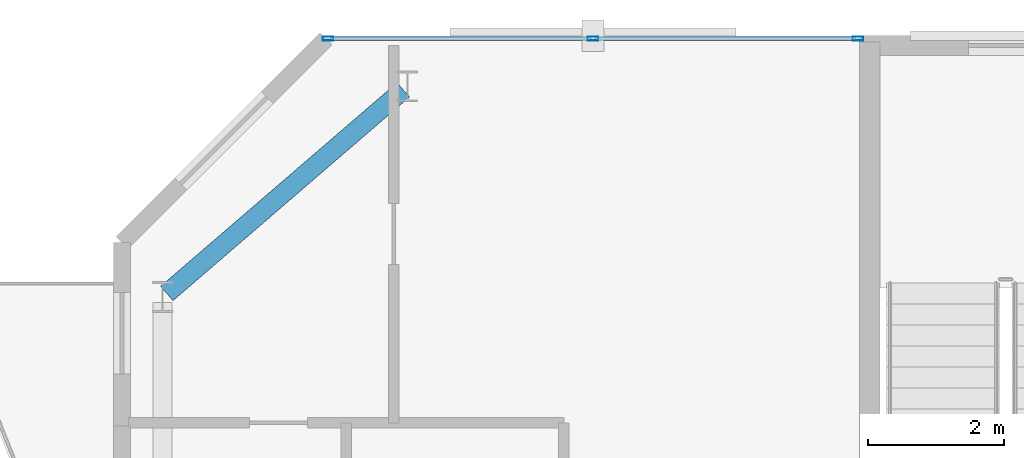
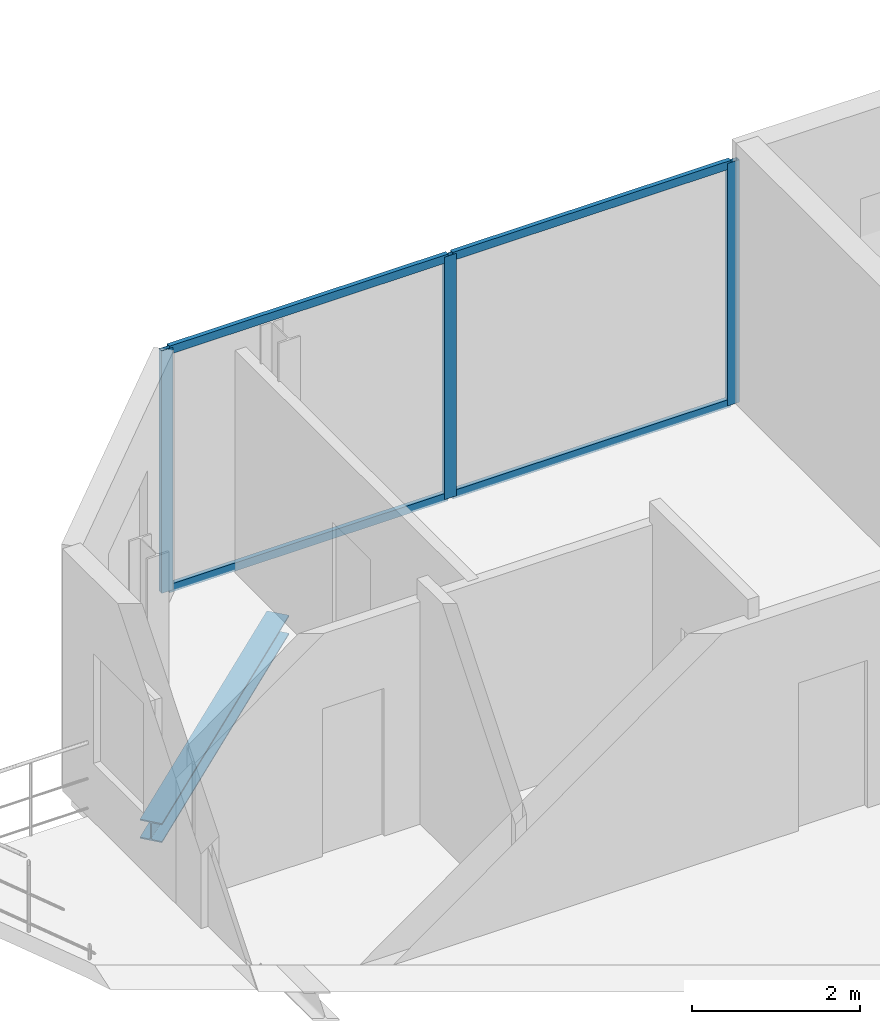
# One storey, part 16 of 24: 7 members, 1 beam, 1 element without a shape of its own.
"""IFC4 building model written with IfcOpenShell, lengths in metres."""

from ifc_helpers import new_model, si_unit, direction, frame, origin, origin_2d, place, context, subcontext, project, spatial, hollow_rectangle, i_section, extrude, material, layer, layer_set, material_profile, profile_set, type_object, element, aggregate, save


model = new_model("IFC4")

# Units and contexts
model_context = context("Model", 3, precision=1e-05, world=origin(), true_north=direction((0.0, 1.0)))
body_context = subcontext(model_context, "Body", "Model", "MODEL_VIEW")
ifc_project = project(units=[si_unit("LENGTHUNIT", "METRE"), si_unit("AREAUNIT", "SQUARE_METRE"), si_unit("VOLUMEUNIT", "CUBIC_METRE"), si_unit("PLANEANGLEUNIT", "RADIAN"), si_unit("MASSUNIT", "GRAM", prefix="KILO")], contexts=[model_context])

# Site, building, storey
site_placement = place(None, origin())
site = spatial("IfcSite", under=ifc_project, at=site_placement, CompositionType="ELEMENT")
building_placement = place(site_placement, origin())
building = spatial("IfcBuilding", under=site, at=building_placement, Name="Catumbela Crestline Tower", CompositionType="ELEMENT")
storey_placement = place(building_placement, frame((0.0, 0.0, 237.4)))
storey = spatial("IfcBuildingStorey", under=building, at=storey_placement, Name="L61", CompositionType="ELEMENT", Elevation=237.4)

# Curtain wall, members
ifc_material_1 = material(Name="Aluminium alloy AW-6060-T66", Category="aluminium")
ifc_layer = layer(ifc_material_1, 0.18, Name="Aluminium alloy AW-6060-T66")
ifc_layer_set = layer_set([ifc_layer], Name="Aluminium alloy AW-6060-T66")
curtain_wall_type = type_object("IfcCurtainWallType", Name="CWU-Z4", PredefinedType="USERDEFINED", material=ifc_layer_set)
curtain_wall_placement = place(storey_placement, origin())
curtain_wall = element("IfcCurtainWall", 1, at=curtain_wall_placement, inside=storey, type_object=curtain_wall_type, Name="L61 Unitised Curtain Wall CW-L61-E7S2", ObjectType="UNITISED", PredefinedType="USERDEFINED")
ifc_material_profile_1 = material_profile(ifc_material_1, hollow_rectangle(XDim=0.06, YDim=0.16, WallThickness=0.004, at=origin_2d()), Name="ALU 160x60x4")
ifc_profile_set_1 = profile_set([ifc_material_profile_1], Name="Aluminium alloy AW-6060-T66")
member_type_1 = type_object("IfcMemberType", Name="MUL-160X60", PredefinedType="MULLION", material=ifc_profile_set_1)
member_1_placement = place(storey_placement, frame((15.8275, 43.0, 0.0), z_axis=(0.0, 0.0, 1.0), x_axis=(0.0, -1.0, 0.0)))
member_1 = element("IfcMember", 2, at=member_1_placement, type_object=member_type_1, Name="CWU-Z4 mullion 1", PredefinedType="MULLION", context=body_context, shape_type="SweptSolid", body=[
    extrude(hollow_rectangle(XDim=0.06, YDim=0.16, WallThickness=0.004, at=origin_2d()), origin(), (0.0, 0.0, 1.0), 3.53),
])
member_2_placement = place(storey_placement, frame((11.93, 43.0, 0.0), z_axis=(0.0, 0.0, 1.0), x_axis=(0.0, -1.0, 0.0)))
member_2 = element("IfcMember", 3, at=member_2_placement, type_object=member_type_1, Name="CWU-Z4 mullion 2", PredefinedType="MULLION", context=body_context, shape_type="SweptSolid", body=[
    extrude(hollow_rectangle(XDim=0.06, YDim=0.16, WallThickness=0.004, at=origin_2d()), origin(), (0.0, 0.0, 1.0), 3.53),
])
member_3_placement = place(storey_placement, frame((8.0325, 43.0, 0.0), z_axis=(0.0, 0.0, 1.0), x_axis=(0.0, -1.0, 0.0)))
member_3 = element("IfcMember", 4, at=member_3_placement, type_object=member_type_1, Name="CWU-Z4 mullion 3", PredefinedType="MULLION", context=body_context, shape_type="SweptSolid", body=[
    extrude(hollow_rectangle(XDim=0.06, YDim=0.16, WallThickness=0.004, at=origin_2d()), origin(), (0.0, 0.0, 1.0), 3.53),
])

# Beam
ifc_material_2 = material(Name="Structural steel S355J2", Category="steel")
ifc_material_profile_2 = material_profile(ifc_material_2, i_section(OverallWidth=0.28, OverallDepth=0.28, WebThickness=0.0105, FlangeThickness=0.018, FilletRadius=0.024, at=origin_2d()), Name="HEB 280")
ifc_profile_set_2 = profile_set([ifc_material_profile_2], Name="Structural steel S355J2")
beam_type = type_object("IfcBeamType", Name="BS-HEB280", PredefinedType="SPANDREL", material=ifc_profile_set_2)
beam_placement = place(storey_placement, frame((5.6606, 39.2522, -0.4), z_axis=(0.757772392559, 0.652518966066, 0.0), x_axis=(-0.652518966066, 0.757772392559, 0.0)))
element("IfcBeam", 5, at=beam_placement, inside=storey, type_object=beam_type, Name="L61 Spandrel SP-L61-N09", PredefinedType="SPANDREL", context=body_context, shape_type="SweptSolid", body=[
    extrude(i_section(OverallWidth=0.28, OverallDepth=0.28, WebThickness=0.0105, FlangeThickness=0.018, FilletRadius=0.024, at=origin_2d()), origin(), (0.0, 0.0, 1.0), 4.5908),
])

# Member
ifc_material_profile_3 = material_profile(ifc_material_1, hollow_rectangle(XDim=0.06, YDim=0.12, WallThickness=0.0035, at=origin_2d()), Name="ALU 120x60x3.5")
ifc_profile_set_3 = profile_set([ifc_material_profile_3], Name="Aluminium alloy AW-6060-T66")
member_type_2 = type_object("IfcMemberType", Name="TRN-120X60", PredefinedType="USERDEFINED", material=ifc_profile_set_3)
member_4_placement = place(storey_placement, frame((15.795, 43.0, 0.03), z_axis=(-1.0, 0.0, 0.0), x_axis=(0.0, -1.0, 0.0)))
member_4 = element("IfcMember", 6, at=member_4_placement, type_object=member_type_2, Name="CWU-Z4 transom 1.1", ObjectType="TRANSOM", PredefinedType="USERDEFINED", context=body_context, shape_type="SweptSolid", body=[
    extrude(hollow_rectangle(XDim=0.06, YDim=0.12, WallThickness=0.0035, at=origin_2d()), origin(), (0.0, 0.0, 1.0), 3.8325),
])

member_5_placement = place(storey_placement, frame((15.795, 43.0, 3.5), z_axis=(-1.0, 0.0, 0.0), x_axis=(0.0, -1.0, 0.0)))
member_5 = element("IfcMember", 7, at=member_5_placement, type_object=member_type_2, Name="CWU-Z4 transom 1.2", ObjectType="TRANSOM", PredefinedType="USERDEFINED", context=body_context, shape_type="SweptSolid", body=[
    extrude(hollow_rectangle(XDim=0.06, YDim=0.12, WallThickness=0.0035, at=origin_2d()), origin(), (0.0, 0.0, 1.0), 3.8325),
])

member_6_placement = place(storey_placement, frame((11.8975, 43.0, 0.03), z_axis=(-1.0, 0.0, 0.0), x_axis=(0.0, -1.0, 0.0)))
member_6 = element("IfcMember", 8, at=member_6_placement, type_object=member_type_2, Name="CWU-Z4 transom 2.1", ObjectType="TRANSOM", PredefinedType="USERDEFINED", context=body_context, shape_type="SweptSolid", body=[
    extrude(hollow_rectangle(XDim=0.06, YDim=0.12, WallThickness=0.0035, at=origin_2d()), origin(), (0.0, 0.0, 1.0), 3.8325),
])

member_7_placement = place(storey_placement, frame((11.8975, 43.0, 3.5), z_axis=(-1.0, 0.0, 0.0), x_axis=(0.0, -1.0, 0.0)))
member_7 = element("IfcMember", 9, at=member_7_placement, type_object=member_type_2, Name="CWU-Z4 transom 2.2", ObjectType="TRANSOM", PredefinedType="USERDEFINED", context=body_context, shape_type="SweptSolid", body=[
    extrude(hollow_rectangle(XDim=0.06, YDim=0.12, WallThickness=0.0035, at=origin_2d()), origin(), (0.0, 0.0, 1.0), 3.8325),
])

aggregate(curtain_wall, [member_1, member_2, member_3, member_4, member_5, member_6, member_7])

save(model, "model.ifc")
